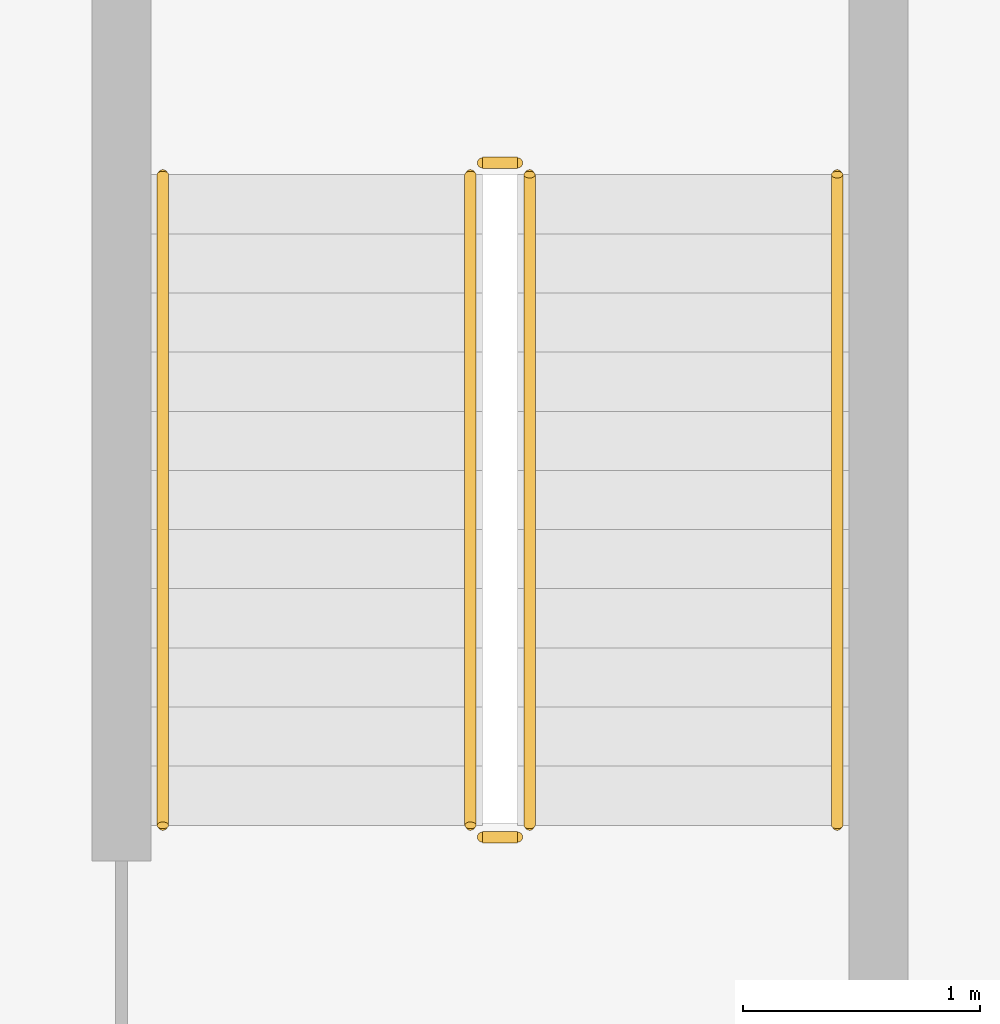
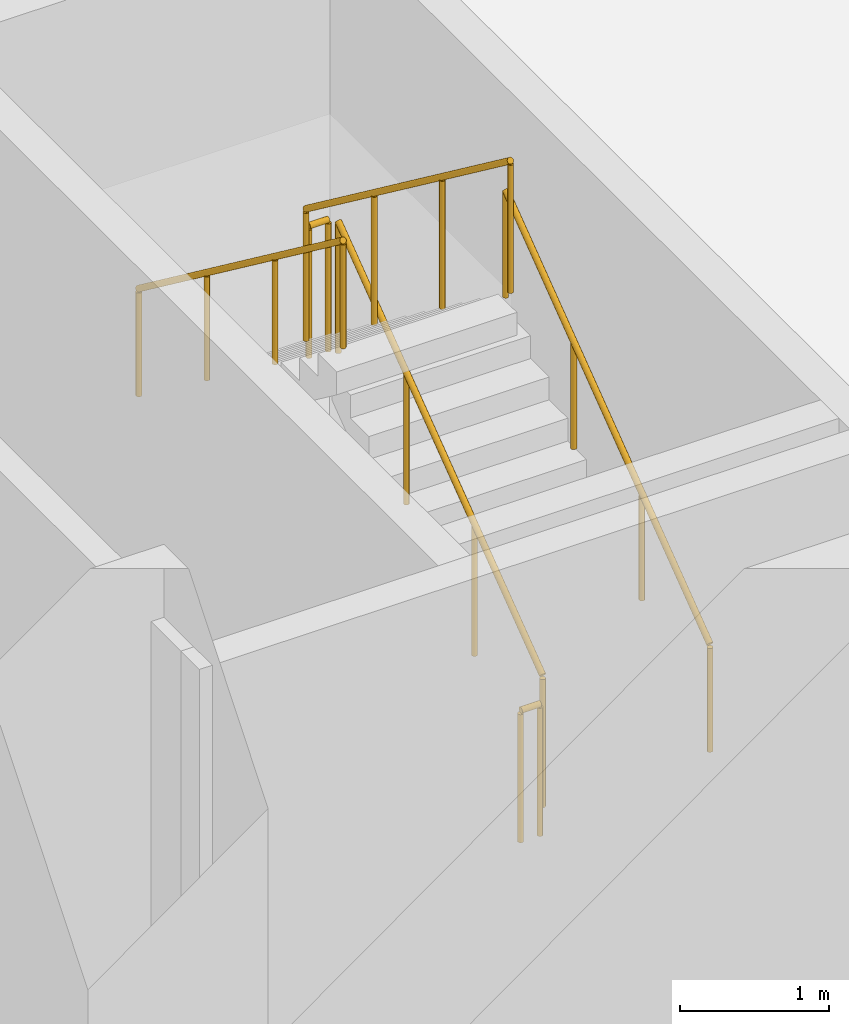
# One storey, part 10 of 12: 6 railings.
"""IFC4 building model written with IfcOpenShell, lengths in metres."""

from ifc_helpers import new_model, si_unit, direction, frame, origin, origin_2d, place, context, subcontext, project, spatial, circle, extrude, source, transform, mapped, material, type_object, element, save


model = new_model("IFC4")

# Units and contexts
model_context = context("Model", 3, precision=1e-05, world=origin(), true_north=direction((0.0, 1.0)))
body_context = subcontext(model_context, "Body", "Model", "MODEL_VIEW")
ifc_project = project(units=[si_unit("LENGTHUNIT", "METRE"), si_unit("AREAUNIT", "SQUARE_METRE"), si_unit("VOLUMEUNIT", "CUBIC_METRE"), si_unit("PLANEANGLEUNIT", "RADIAN"), si_unit("MASSUNIT", "GRAM", prefix="KILO")], contexts=[model_context])

# Site, building, storey
site_placement = place(None, origin())
site = spatial("IfcSite", under=ifc_project, at=site_placement, CompositionType="ELEMENT")
building_placement = place(site_placement, origin())
building = spatial("IfcBuilding", under=site, at=building_placement, Name="Aurelian Terraces", CompositionType="ELEMENT")
storey_placement = place(building_placement, frame((0.0, 0.0, -4.5)))
storey = spatial("IfcBuildingStorey", under=building, at=storey_placement, Name="B1", CompositionType="ELEMENT", Elevation=-4.5)

# Railings
ifc_material = material(Name="Stainless steel", Category="steel")
railing_type_1 = type_object("IfcRailingType", Name="Stair guard 1100", PredefinedType="GUARDRAIL", material=ifc_material)
shared_shape_1 = source(origin(), body_context, "Body", "SweptSolid", [
    extrude(circle(Radius=0.024, at=origin_2d()), frame((0.0, 0.0, 1.076), z_axis=(-1.0, 0.0, 0.0), x_axis=(0.0, -1.0, 0.0)), (0.0, 0.0, 1.0), 0.15),
    extrude(circle(Radius=0.021, at=origin_2d()), origin(), (0.0, 0.0, 1.0), 1.052),
    extrude(circle(Radius=0.021, at=origin_2d()), frame((-0.15, 0.0, 0.0)), (0.0, 0.0, 1.0), 1.052),
])
for number, where, name in (
    (1, (42.2, 4.9, 2.25), "B1 S2 stair guard 2"),
    (2, (42.2, 2.05, 0.0), "B1 S2 stair guard 4"),
):
    element("IfcRailing", number, at=place(storey_placement, frame(where)), inside=storey, type_object=railing_type_1, Name=name, PredefinedType="GUARDRAIL", context=body_context, shape_type="MappedRepresentation", body=[
        mapped(shared_shape_1, transform((0.0, 0.0, 0.0), scale=1.0)),
    ])
shared_shape_2 = source(origin(), body_context, "Body", "SweptSolid", [
    extrude(circle(Radius=0.024, at=origin_2d()), frame((0.0, 0.0, 1.076), z_axis=(0.0, 0.8, 0.6), x_axis=(-1.0, 0.0, 0.0)), (0.0, 0.0, 1.0), 3.4375),
    extrude(circle(Radius=0.021, at=origin_2d()), origin(), (0.0, 0.0, 1.0), 1.052),
    extrude(circle(Radius=0.021, at=origin_2d()), frame((0.0, 0.9167, 0.6875)), (0.0, 0.0, 1.0), 1.052),
    extrude(circle(Radius=0.021, at=origin_2d()), frame((0.0, 1.8333, 1.375)), (0.0, 0.0, 1.0), 1.052),
    extrude(circle(Radius=0.021, at=origin_2d()), frame((0.0, 2.75, 2.0625)), (0.0, 0.0, 1.0), 1.052),
])
railing_1_placement = place(storey_placement, frame((42.25, 2.1, 0.1875)))
element("IfcRailing", 3, at=railing_1_placement, inside=storey, type_object=railing_type_1, Name="B1 S2 stair guard 1", PredefinedType="GUARDRAIL", context=body_context, shape_type="MappedRepresentation", body=[
    mapped(shared_shape_2, transform((0.0, 0.0, 0.0), scale=1.0)),
])
shared_shape_3 = source(origin(), body_context, "Body", "SweptSolid", [
    extrude(circle(Radius=0.024, at=origin_2d()), frame((0.0, 0.0, 1.076), z_axis=(0.0, -0.8, 0.6), x_axis=(1.0, 0.0, 0.0)), (0.0, 0.0, 1.0), 3.4375),
    extrude(circle(Radius=0.021, at=origin_2d()), origin(), (0.0, 0.0, 1.0), 1.052),
    extrude(circle(Radius=0.021, at=origin_2d()), frame((0.0, -0.9167, 0.6875)), (0.0, 0.0, 1.0), 1.052),
    extrude(circle(Radius=0.021, at=origin_2d()), frame((0.0, -1.8333, 1.375)), (0.0, 0.0, 1.0), 1.052),
    extrude(circle(Radius=0.021, at=origin_2d()), frame((0.0, -2.75, 2.0625)), (0.0, 0.0, 1.0), 1.052),
])
railing_2_placement = place(storey_placement, frame((42.0, 4.85, 2.4375)))
element("IfcRailing", 4, at=railing_2_placement, inside=storey, type_object=railing_type_1, Name="B1 S2 stair guard 3", PredefinedType="GUARDRAIL", context=body_context, shape_type="MappedRepresentation", body=[
    mapped(shared_shape_3, transform((0.0, 0.0, 0.0), scale=1.0)),
])
railing_type_2 = type_object("IfcRailingType", Name="Stair handrail", PredefinedType="HANDRAIL", material=ifc_material)
shared_shape_4 = source(origin(), body_context, "Body", "SweptSolid", [
    extrude(circle(Radius=0.024, at=origin_2d()), frame((0.0, 0.0, 0.876), z_axis=(0.0, 0.8, 0.6), x_axis=(-1.0, 0.0, 0.0)), (0.0, 0.0, 1.0), 3.4375),
    extrude(circle(Radius=0.021, at=origin_2d()), origin(), (0.0, 0.0, 1.0), 0.852),
    extrude(circle(Radius=0.021, at=origin_2d()), frame((0.0, 0.9167, 0.6875)), (0.0, 0.0, 1.0), 0.852),
    extrude(circle(Radius=0.021, at=origin_2d()), frame((0.0, 1.8333, 1.375)), (0.0, 0.0, 1.0), 0.852),
    extrude(circle(Radius=0.021, at=origin_2d()), frame((0.0, 2.75, 2.0625)), (0.0, 0.0, 1.0), 0.852),
])
railing_3_placement = place(storey_placement, frame((43.55, 2.1, 0.1875)))
element("IfcRailing", 5, at=railing_3_placement, inside=storey, type_object=railing_type_2, Name="B1 S2 stair handrail 1", PredefinedType="HANDRAIL", context=body_context, shape_type="MappedRepresentation", body=[
    mapped(shared_shape_4, transform((0.0, 0.0, 0.0), scale=1.0)),
])
shared_shape_5 = source(origin(), body_context, "Body", "SweptSolid", [
    extrude(circle(Radius=0.024, at=origin_2d()), frame((0.0, 0.0, 0.876), z_axis=(0.0, -0.8, 0.6), x_axis=(1.0, 0.0, 0.0)), (0.0, 0.0, 1.0), 3.4375),
    extrude(circle(Radius=0.021, at=origin_2d()), origin(), (0.0, 0.0, 1.0), 0.852),
    extrude(circle(Radius=0.021, at=origin_2d()), frame((0.0, -0.9167, 0.6875)), (0.0, 0.0, 1.0), 0.852),
    extrude(circle(Radius=0.021, at=origin_2d()), frame((0.0, -1.8333, 1.375)), (0.0, 0.0, 1.0), 0.852),
    extrude(circle(Radius=0.021, at=origin_2d()), frame((0.0, -2.75, 2.0625)), (0.0, 0.0, 1.0), 0.852),
])
railing_4_placement = place(storey_placement, frame((40.7, 4.85, 2.4375)))
element("IfcRailing", 6, at=railing_4_placement, inside=storey, type_object=railing_type_2, Name="B1 S2 stair handrail 2", PredefinedType="HANDRAIL", context=body_context, shape_type="MappedRepresentation", body=[
    mapped(shared_shape_5, transform((0.0, 0.0, 0.0), scale=1.0)),
])

save(model, "model.ifc")
